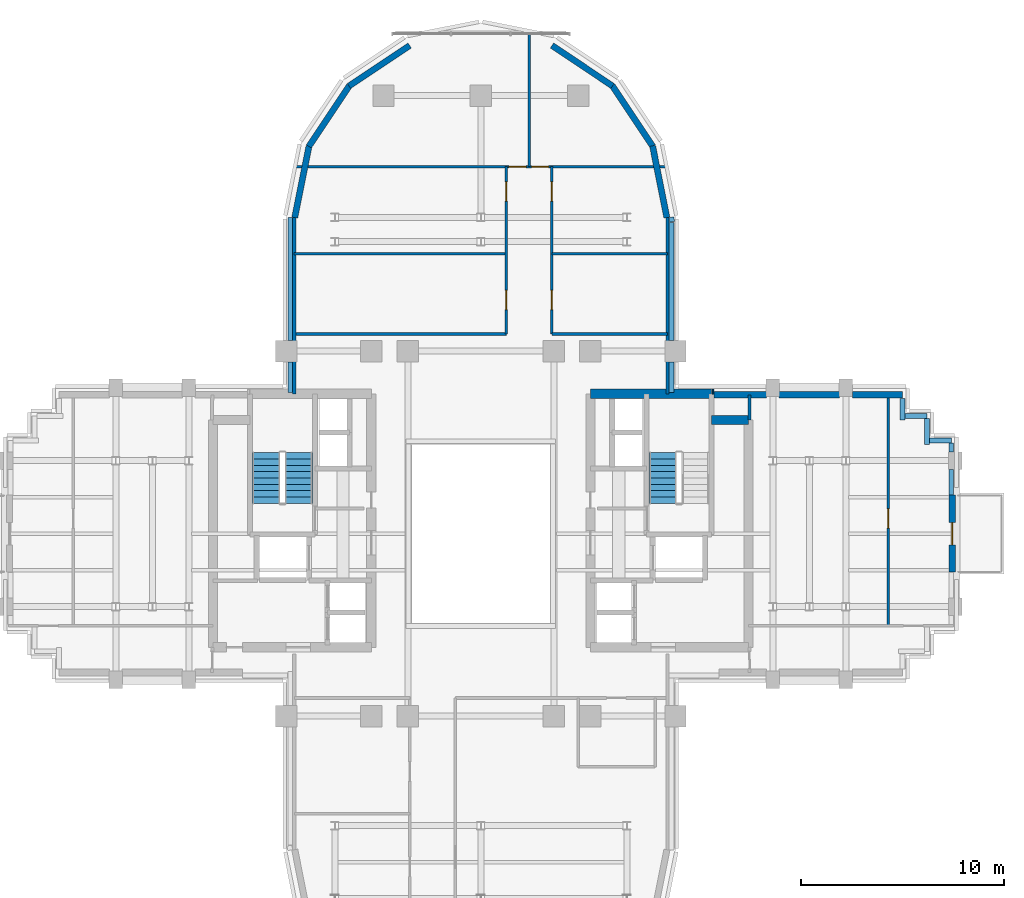
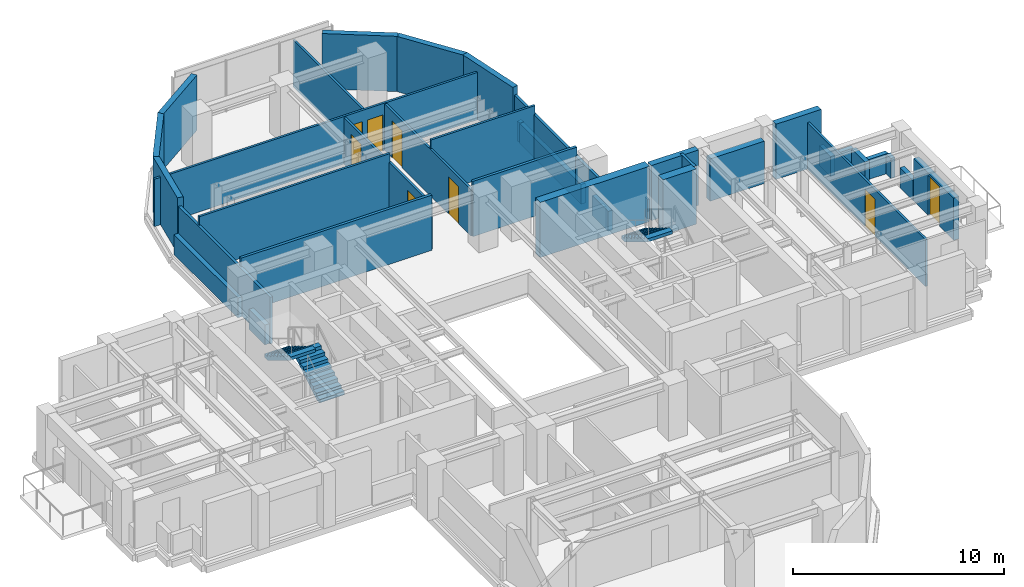
# One storey, part 9 of 13: 36 walls, 8 doors, 3 stair flights, 8 openings, 2 elements without a shape of their own.
"""IFC4 building model written with IfcOpenShell, lengths in metres."""

from ifc_helpers import new_model, si_unit, direction, frame, frame_2d, origin, place, context, subcontext, project, spatial, polyline, rectangle, outline, extrude, source, transform, mapped, material, layer, layer_set, type_object, element, fill, aggregate, save


model = new_model("IFC4")

# Units and contexts
model_context = context("Model", 3, precision=1e-05, world=origin(), true_north=direction((0.0, 1.0)))
body_context = subcontext(model_context, "Body", "Model", "MODEL_VIEW")
ifc_project = project(units=[si_unit("LENGTHUNIT", "METRE"), si_unit("AREAUNIT", "SQUARE_METRE"), si_unit("VOLUMEUNIT", "CUBIC_METRE"), si_unit("PLANEANGLEUNIT", "RADIAN"), si_unit("MASSUNIT", "GRAM", prefix="KILO")], contexts=[model_context])

# Site, building, storey
site_placement = place(None, origin())
site = spatial("IfcSite", under=ifc_project, at=site_placement, CompositionType="ELEMENT")
building_placement = place(site_placement, origin())
building = spatial("IfcBuilding", under=site, at=building_placement, Name="Keilestroom Media Tower", CompositionType="ELEMENT")
storey_placement = place(building_placement, frame((0.0, 0.0, 107.39990234375)))
storey = spatial("IfcBuildingStorey", under=building, at=storey_placement, Name="L28", CompositionType="ELEMENT", Elevation=107.39990234375)

# Walls
ifc_material_1 = material(Name="Precast concrete C40/50", Category="concrete")
ifc_layer_1 = layer(ifc_material_1, 0.300048828125)
ifc_layer_set_1 = layer_set([ifc_layer_1], Name="Precast concrete C40/50")
wall_type_1 = type_object("IfcWallType", Name="Exterior-Masonry-Spandrel-Wall-300", PredefinedType="SOLIDWALL", material=ifc_layer_set_1)
for number, where, z_axis, x_axis, name in (
    (1, (9.1748046875, 15.585205078125, 0.0), (0.0, 0.0, 1.0), (-0.195114232679, 0.980780523974, 0.0), "L28 Lobe Facet Precast Frame Wall 01"),
    (2, (8.48193359375, 19.097412109375, 0.0), (0.0, 0.0, 1.0), (-0.555574187116, 0.831466970246, 0.0), "L28 Lobe Facet Precast Frame Wall 02"),
):
    element("IfcWall", number, at=place(storey_placement, frame(where, z_axis=z_axis, x_axis=x_axis)), inside=storey, type_object=wall_type_1, Name=name, PredefinedType="SOLIDWALL", context=body_context, shape_type="SweptSolid", body=[
        extrude(rectangle(XDim=3.608642578125, YDim=0.300048828125, at=frame_2d((1.80419921875, 0.0))), origin(), (0.0, 0.0, 1.0), 3.2001953125),
    ])
for number, where, z_axis, x_axis, name in (
    (3, (6.497802734375, 22.0771484375, 0.0), (0.0, 0.0, 1.0), (-0.8314749531, 0.555562239868, 0.0), "L28 Lobe Facet Precast Frame Wall 03"),
    (4, (-3.510009765625, 24.073486328125, 0.0), (0.0, 0.0, 1.0), (-0.8314749531, -0.555562239868, 0.0), "L28 Lobe Facet Precast Frame Wall 04"),
):
    element("IfcWall", number, at=place(storey_placement, frame(where, z_axis=z_axis, x_axis=x_axis)), inside=storey, type_object=wall_type_1, Name=name, PredefinedType="SOLIDWALL", context=body_context, shape_type="SweptSolid", body=[
        extrude(rectangle(XDim=3.59326171875, YDim=0.300048828125, at=frame_2d((1.796630859375, 0.0))), origin(), (0.0, 0.0, 1.0), 3.2001953125),
    ])
for number, where, z_axis, x_axis, name in (
    (5, (-6.47705078125, 22.097900390625, 0.0), (0.0, 0.0, 1.0), (-0.555574187116, -0.831466970246, 0.0), "L28 Lobe Facet Precast Frame Wall 05"),
    (6, (-8.470703125, 19.12451171875, 0.0), (0.0, 0.0, 1.0), (-0.195114232679, -0.980780523974, 0.0), "L28 Lobe Facet Precast Frame Wall 06"),
):
    element("IfcWall", number, at=place(storey_placement, frame(where, z_axis=z_axis, x_axis=x_axis)), inside=storey, type_object=wall_type_1, Name=name, PredefinedType="SOLIDWALL", context=body_context, shape_type="SweptSolid", body=[
        extrude(rectangle(XDim=3.608642578125, YDim=0.300048828125, at=frame_2d((1.80419921875, 0.0))), origin(), (0.0, 0.0, 1.0), 3.2001953125),
    ])

# Wall, opening, door
wall_1_placement = place(storey_placement, frame((23.25, -1.89990234375, 0.0), z_axis=(0.0, 0.0, 1.0), x_axis=(0.0, 1.0, 0.0)))
wall_1 = element("IfcWall", 7, at=wall_1_placement, inside=storey, type_object=wall_type_1, Name="L28 Terrace Threshold Wall L28-E", PredefinedType="SOLIDWALL", context=body_context, shape_type="SweptSolid", body=[
    extrude(rectangle(XDim=3.7998046875, YDim=0.300048828125, at=frame_2d((1.89990234375, 0.0))), origin(), (0.0, 0.0, 1.0), 2.4501953125),
])
opening_1_placement = place(wall_1_placement, frame((1.35009765625, 0.0, 0.0)))
opening_1 = element("IfcOpeningElement", 8, at=opening_1_placement, cuts=wall_1, Name="Opening DE-02", PredefinedType="OPENING", context=body_context, shape_type="SweptSolid", body=[
    extrude(rectangle(XDim=1.10009765625, YDim=2.300048828125, at=frame_2d((0.550048828125, 1.14990234375))), frame((0.0, 0.16015625, 0.0), z_axis=(0.0, -1.0, 0.0), x_axis=(1.0, 0.0, 0.0)), (0.0, 0.0, 1.0), 0.320068359375),
])
ifc_material_2 = material(Name="Thermally Broken Aluminium & Laminated Glass", Category="aluminium")
door_type_1 = type_object("IfcDoorType", Name="Exterior-Entrance-And-Terrace-Door-DE-02", OperationType="NOTDEFINED", PredefinedType="DOOR", material=ifc_material_2)
shared_shape_1 = source(origin(), body_context, "Body", "SweptSolid", [
    extrude(rectangle(XDim=1.10009765625, YDim=2.300048828125, at=frame_2d((0.550048828125, 1.14990234375))), frame((0.0, 0.02490234375, 0.0), z_axis=(0.0, -1.0, 0.0), x_axis=(1.0, 0.0, 0.0)), (0.0, 0.0, 1.0), 0.050048828125),
])
door_1_placement = place(opening_1_placement, frame((1.10009765625, 0.0, 0.0), z_axis=(0.0, 0.0, 1.0), x_axis=(-1.0, 0.0, 0.0)))
door_1 = element("IfcDoor", 9, at=door_1_placement, inside=storey, type_object=door_type_1, Name="L28 Terrace Access Door DE-02 L28-E", OperationType="SINGLE_SWING_RIGHT", OverallHeight=2.300048828125, OverallWidth=1.10009765625, PredefinedType="DOOR", context=body_context, shape_type="MappedRepresentation", body=[
    mapped(shared_shape_1, transform((0.0, 0.0, 0.0), x_axis=(1.0, 0.0, 0.0), y_axis=(0.0, 1.0, 0.0), z_axis=(0.0, 0.0, 1.0), scale=1.0)),
])
fill(opening_1, door_1)

# Walls
ifc_layer_2 = layer(ifc_material_1, 0.340087890625)
ifc_layer_set_2 = layer_set([ifc_layer_2], Name="Precast concrete C40/50")
wall_type_2 = type_object("IfcWallType", Name="Exterior-Masonry-Spandrel-Wall-340", PredefinedType="SOLIDWALL", material=ifc_layer_set_2)
wall_2_placement = place(storey_placement, frame((11.498046875, 6.85009765625, 0.0), z_axis=(0.0, 0.0, 1.0), x_axis=(1.0, 0.0, 0.0)))
element("IfcWall", 10, at=wall_2_placement, inside=storey, type_object=wall_type_2, Name="L28 Flank Masonry Wall EWL-L28-NE-1", PredefinedType="SOLIDWALL", context=body_context, shape_type="SweptSolid", body=[
    extrude(rectangle(XDim=2.5849609375, YDim=0.340087890625, at=frame_2d((1.29248046875, 0.0))), origin(), (0.0, 0.0, 1.0), 3.2001953125),
])
wall_3_placement = place(storey_placement, frame((14.717041015625, 6.85009765625, 0.0), z_axis=(0.0, 0.0, 1.0), x_axis=(1.0, 0.0, 0.0)))
element("IfcWall", 11, at=wall_3_placement, inside=storey, type_object=wall_type_2, Name="L28 Flank Masonry Wall EWL-L28-NE-2", PredefinedType="SOLIDWALL", context=body_context, shape_type="SweptSolid", body=[
    extrude(rectangle(XDim=2.966064453125, YDim=0.340087890625, at=frame_2d((1.48291015625, 0.0))), origin(), (0.0, 0.0, 1.0), 2.4501953125),
])
wall_4_placement = place(storey_placement, frame((18.31689453125, 6.85009765625, 0.0), z_axis=(0.0, 0.0, 1.0), x_axis=(1.0, 0.0, 0.0)))
element("IfcWall", 12, at=wall_4_placement, inside=storey, type_object=wall_type_2, Name="L28 Flank Masonry Wall EWL-L28-NE-3", PredefinedType="SOLIDWALL", context=body_context, shape_type="SweptSolid", body=[
    extrude(rectangle(XDim=2.483154296875, YDim=0.340087890625, at=frame_2d((1.24169921875, 0.0))), origin(), (0.0, 0.0, 1.0), 3.2001953125),
])

# Wall, openings, doors
ifc_material_3 = material(Name="Gypsum Plasterboard & Steel Stud", Category="steel")
ifc_layer_3 = layer(ifc_material_3, 0.1201171875)
ifc_layer_set_3 = layer_set([ifc_layer_3], Name="Gypsum Plasterboard & Steel Stud")
wall_type_3 = type_object("IfcWallType", Name="Interior-Partition-Wall-120", PredefinedType="PARTITIONING", material=ifc_layer_set_3)
wall_5_placement = place(storey_placement, frame((1.260009765625, 9.85009765625, 0.0), z_axis=(0.0, 0.0, 1.0), x_axis=(0.0, 1.0, 0.0)))
wall_5 = element("IfcWall", 13, at=wall_5_placement, inside=storey, type_object=wall_type_3, Name="L28 Interior Wall WP-L28-NL-SPW", PredefinedType="PARTITIONING", context=body_context, shape_type="SweptSolid", body=[
    extrude(rectangle(XDim=8.25, YDim=0.1201171875, at=frame_2d((4.125, 0.0))), origin(), (0.0, 0.0, 1.0), 2.7001953125),
])
opening_2_placement = place(wall_5_placement, frame((1.199951171875, 0.0, 0.0)))
opening_2 = element("IfcOpeningElement", 14, at=opening_2_placement, cuts=wall_5, Name="Opening DI-03", PredefinedType="OPENING", context=body_context, shape_type="SweptSolid", body=[
    extrude(rectangle(XDim=0.949951171875, YDim=2.14990234375, at=frame_2d((0.47509765625, 1.074951171875))), frame((0.0, 0.070068359375, 0.0), z_axis=(0.0, -1.0, 0.0), x_axis=(1.0, 0.0, 0.0)), (0.0, 0.0, 1.0), 0.14013671875),
])
opening_3_placement = place(wall_5_placement, frame((6.550048828125, 0.0, 0.0)))
opening_3 = element("IfcOpeningElement", 15, at=opening_3_placement, cuts=wall_5, Name="Opening DI-03", PredefinedType="OPENING", context=body_context, shape_type="SweptSolid", body=[
    extrude(rectangle(XDim=0.949951171875, YDim=2.14990234375, at=frame_2d((0.47509765625, 1.074951171875))), frame((0.0, 0.070068359375, 0.0), z_axis=(0.0, -1.0, 0.0), x_axis=(1.0, 0.0, 0.0)), (0.0, 0.0, 1.0), 0.14013671875),
])
ifc_material_4 = material(Name="Lacquered European Oak Leaf", Category="wood")
door_type_2 = type_object("IfcDoorType", Name="Interior-Room-And-Suite-Door-DI-03", OperationType="NOTDEFINED", PredefinedType="DOOR", material=ifc_material_4)
shared_shape_2 = source(origin(), body_context, "Body", "SweptSolid", [
    extrude(rectangle(XDim=0.949951171875, YDim=2.14990234375, at=frame_2d((0.47509765625, 1.074951171875))), frame((0.0, 0.02490234375, 0.0), z_axis=(0.0, -1.0, 0.0), x_axis=(1.0, 0.0, 0.0)), (0.0, 0.0, 1.0), 0.050048828125),
])
door_2_placement = place(opening_2_placement, origin())
door_2 = element("IfcDoor", 16, at=door_2_placement, inside=storey, type_object=door_type_2, Name="L28 Interior Door DI-L28-DNL-W1", OperationType="SINGLE_SWING_RIGHT", OverallHeight=2.14990234375, OverallWidth=0.949951171875, PredefinedType="DOOR", context=body_context, shape_type="MappedRepresentation", body=[
    mapped(shared_shape_2, transform((0.0, 0.0, 0.0), x_axis=(1.0, 0.0, 0.0), y_axis=(0.0, 1.0, 0.0), z_axis=(0.0, 0.0, 1.0), scale=1.0)),
])
fill(opening_2, door_2)
door_3_placement = place(opening_3_placement, origin())
door_3 = element("IfcDoor", 17, at=door_3_placement, inside=storey, type_object=door_type_2, Name="L28 Interior Door DI-L28-DNL-W2", OperationType="SINGLE_SWING_LEFT", OverallHeight=2.14990234375, OverallWidth=0.949951171875, PredefinedType="DOOR", context=body_context, shape_type="MappedRepresentation", body=[
    mapped(shared_shape_2, transform((0.0, 0.0, 0.0), x_axis=(1.0, 0.0, 0.0), y_axis=(0.0, 1.0, 0.0), z_axis=(0.0, 0.0, 1.0), scale=1.0)),
])
fill(opening_3, door_3)

wall_6_placement = place(storey_placement, frame((3.5, 9.85009765625, 0.0), z_axis=(0.0, 0.0, 1.0), x_axis=(0.0, 1.0, 0.0)))
wall_6 = element("IfcWall", 18, at=wall_6_placement, inside=storey, type_object=wall_type_3, Name="L28 Interior Wall WP-L28-NL-SPE", PredefinedType="PARTITIONING", context=body_context, shape_type="SweptSolid", body=[
    extrude(rectangle(XDim=8.25, YDim=0.1201171875, at=frame_2d((4.125, 0.0))), origin(), (0.0, 0.0, 1.0), 2.7001953125),
])
opening_4_placement = place(wall_6_placement, frame((1.199951171875, 0.0, 0.0)))
opening_4 = element("IfcOpeningElement", 19, at=opening_4_placement, cuts=wall_6, Name="Opening DI-03", PredefinedType="OPENING", context=body_context, shape_type="SweptSolid", body=[
    extrude(rectangle(XDim=0.949951171875, YDim=2.14990234375, at=frame_2d((0.47509765625, 1.074951171875))), frame((0.0, 0.070068359375, 0.0), z_axis=(0.0, -1.0, 0.0), x_axis=(1.0, 0.0, 0.0)), (0.0, 0.0, 1.0), 0.14013671875),
])
opening_5_placement = place(wall_6_placement, frame((6.550048828125, 0.0, 0.0)))
opening_5 = element("IfcOpeningElement", 20, at=opening_5_placement, cuts=wall_6, Name="Opening DI-03", PredefinedType="OPENING", context=body_context, shape_type="SweptSolid", body=[
    extrude(rectangle(XDim=0.949951171875, YDim=2.14990234375, at=frame_2d((0.47509765625, 1.074951171875))), frame((0.0, 0.070068359375, 0.0), z_axis=(0.0, -1.0, 0.0), x_axis=(1.0, 0.0, 0.0)), (0.0, 0.0, 1.0), 0.14013671875),
])
door_4_placement = place(opening_4_placement, origin())
door_4 = element("IfcDoor", 21, at=door_4_placement, inside=storey, type_object=door_type_2, Name="L28 Interior Door DI-L28-DNL-E1", OperationType="SINGLE_SWING_RIGHT", OverallHeight=2.14990234375, OverallWidth=0.949951171875, PredefinedType="DOOR", context=body_context, shape_type="MappedRepresentation", body=[
    mapped(shared_shape_2, transform((0.0, 0.0, 0.0), x_axis=(1.0, 0.0, 0.0), y_axis=(0.0, 1.0, 0.0), z_axis=(0.0, 0.0, 1.0), scale=1.0)),
])
fill(opening_4, door_4)
door_5_placement = place(opening_5_placement, origin())
door_5 = element("IfcDoor", 22, at=door_5_placement, inside=storey, type_object=door_type_2, Name="L28 Interior Door DI-L28-DNL-E2", OperationType="SINGLE_SWING_LEFT", OverallHeight=2.14990234375, OverallWidth=0.949951171875, PredefinedType="DOOR", context=body_context, shape_type="MappedRepresentation", body=[
    mapped(shared_shape_2, transform((0.0, 0.0, 0.0), x_axis=(1.0, 0.0, 0.0), y_axis=(0.0, 1.0, 0.0), z_axis=(0.0, 0.0, 1.0), scale=1.0)),
])
fill(opening_5, door_5)

wall_7_placement = place(storey_placement, frame((-9.159912109375, 18.10009765625, 0.0), z_axis=(0.0, 0.0, 1.0), x_axis=(1.0, 0.0, 0.0)))
wall_7 = element("IfcWall", 23, at=wall_7_placement, inside=storey, type_object=wall_type_3, Name="L28 Interior Wall WP-L28-NL-NTIPW", PredefinedType="PARTITIONING", context=body_context, shape_type="SweptSolid", body=[
    extrude(rectangle(XDim=18.31982421875, YDim=0.1201171875, at=frame_2d((9.159912109375, 0.0))), origin(), (0.0, 0.0, 1.0), 2.75),
])
opening_6_placement = place(wall_7_placement, frame((10.5400390625, 0.0, 0.0)))
opening_6 = element("IfcOpeningElement", 24, at=opening_6_placement, cuts=wall_7, Name="Opening DI-05", PredefinedType="OPENING", context=body_context, shape_type="SweptSolid", body=[
    extrude(rectangle(XDim=0.85009765625, YDim=2.10009765625, at=frame_2d((0.425048828125, 1.050048828125))), frame((0.0, 0.070068359375, 0.0), z_axis=(0.0, -1.0, 0.0), x_axis=(1.0, 0.0, 0.0)), (0.0, 0.0, 1.0), 0.14013671875),
])
opening_7_placement = place(wall_7_placement, frame((11.659912109375, 0.0, 0.0)))
opening_7 = element("IfcOpeningElement", 25, at=opening_7_placement, cuts=wall_7, Name="Opening DI-05", PredefinedType="OPENING", context=body_context, shape_type="SweptSolid", body=[
    extrude(rectangle(XDim=0.85009765625, YDim=2.10009765625, at=frame_2d((0.425048828125, 1.050048828125))), frame((0.0, 0.070068359375, 0.0), z_axis=(0.0, -1.0, 0.0), x_axis=(1.0, 0.0, 0.0)), (0.0, 0.0, 1.0), 0.14013671875),
])
ifc_material_5 = material(Name="Moisture-Resistant Oak Leaf", Category="wood")
door_type_3 = type_object("IfcDoorType", Name="Interior-En-Suite-And-Cupboard-Door-DI-05", OperationType="NOTDEFINED", PredefinedType="DOOR", material=ifc_material_5)
shared_shape_3 = source(origin(), body_context, "Body", "SweptSolid", [
    extrude(rectangle(XDim=0.85009765625, YDim=2.10009765625, at=frame_2d((0.425048828125, 1.050048828125))), frame((0.0, 0.02490234375, 0.0), z_axis=(0.0, -1.0, 0.0), x_axis=(1.0, 0.0, 0.0)), (0.0, 0.0, 1.0), 0.050048828125),
])
door_6_placement = place(opening_6_placement, origin())
door_6 = element("IfcDoor", 26, at=door_6_placement, inside=storey, type_object=door_type_3, Name="L28 Interior Door DI-L28-DNL-TIPW", OperationType="SINGLE_SWING_RIGHT", OverallHeight=2.10009765625, OverallWidth=0.85009765625, PredefinedType="DOOR", context=body_context, shape_type="MappedRepresentation", body=[
    mapped(shared_shape_3, transform((0.0, 0.0, 0.0), x_axis=(1.0, 0.0, 0.0), y_axis=(0.0, 1.0, 0.0), z_axis=(0.0, 0.0, 1.0), scale=1.0)),
])
fill(opening_6, door_6)
door_7_placement = place(opening_7_placement, origin())
door_7 = element("IfcDoor", 27, at=door_7_placement, inside=storey, type_object=door_type_3, Name="L28 Interior Door DI-L28-DNL-TIPE", OperationType="SINGLE_SWING_LEFT", OverallHeight=2.10009765625, OverallWidth=0.85009765625, PredefinedType="DOOR", context=body_context, shape_type="MappedRepresentation", body=[
    mapped(shared_shape_3, transform((0.0, 0.0, 0.0), x_axis=(1.0, 0.0, 0.0), y_axis=(0.0, 1.0, 0.0), z_axis=(0.0, 0.0, 1.0), scale=1.0)),
])
fill(opening_7, door_7)

# Walls
wall_8_placement = place(storey_placement, frame((2.3798828125, 18.10009765625, 0.0), z_axis=(0.0, 0.0, 1.0), x_axis=(0.0, 1.0, 0.0)))
element("IfcWall", 28, at=wall_8_placement, inside=storey, type_object=wall_type_3, Name="L28 Interior Wall WP-L28-NL-TIPM", PredefinedType="PARTITIONING", context=body_context, shape_type="SweptSolid", body=[
    extrude(rectangle(XDim=6.719970703125, YDim=0.1201171875, at=frame_2d((3.35986328125, 0.0))), origin(), (0.0, 0.0, 1.0), 2.7001953125),
])
wall_9_placement = place(storey_placement, frame((-9.199951171875, 13.800048828125, 0.0), z_axis=(0.0, 0.0, 1.0), x_axis=(1.0, 0.0, 0.0)))
element("IfcWall", 29, at=wall_9_placement, inside=storey, type_object=wall_type_3, Name="L28 Interior Wall WP-L28-NL-HWM", PredefinedType="PARTITIONING", context=body_context, shape_type="SweptSolid", body=[
    extrude(rectangle(XDim=10.4599609375, YDim=0.1201171875, at=frame_2d((5.22998046875, 0.0))), origin(), (0.0, 0.0, 1.0), 3.2001953125),
])
wall_10_placement = place(storey_placement, frame((3.5, 13.800048828125, 0.0), z_axis=(0.0, 0.0, 1.0), x_axis=(1.0, 0.0, 0.0)))
element("IfcWall", 30, at=wall_10_placement, inside=storey, type_object=wall_type_3, Name="L28 Interior Wall WP-L28-NL-HEM", PredefinedType="PARTITIONING", context=body_context, shape_type="SweptSolid", body=[
    extrude(rectangle(XDim=5.699951171875, YDim=0.1201171875, at=frame_2d((2.85009765625, 0.0))), origin(), (0.0, 0.0, 1.0), 3.2001953125),
])

# Wall, opening, door
wall_11_placement = place(storey_placement, frame((20.10009765625, -4.530029296875, 0.0), z_axis=(0.0, 0.0, 1.0), x_axis=(0.0, 1.0, 0.0)))
wall_11 = element("IfcWall", 31, at=wall_11_placement, inside=storey, type_object=wall_type_3, Name="L28 Interior Wall WP-L28-EA-VM", PredefinedType="PARTITIONING", context=body_context, shape_type="SweptSolid", body=[
    extrude(rectangle(XDim=11.380126953125, YDim=0.1201171875, at=frame_2d((5.68994140625, 0.0))), origin(), (0.0, 0.0, 1.0), 2.7001953125),
])
opening_8_placement = place(wall_11_placement, frame((4.800048828125, 0.0, 0.0)))
opening_8 = element("IfcOpeningElement", 32, at=opening_8_placement, cuts=wall_11, Name="Opening DI-03", PredefinedType="OPENING", context=body_context, shape_type="SweptSolid", body=[
    extrude(rectangle(XDim=0.949951171875, YDim=2.14990234375, at=frame_2d((0.47509765625, 1.074951171875))), frame((0.0, 0.070068359375, 0.0), z_axis=(0.0, -1.0, 0.0), x_axis=(1.0, 0.0, 0.0)), (0.0, 0.0, 1.0), 0.14013671875),
])
door_8_placement = place(opening_8_placement, origin())
door_8 = element("IfcDoor", 33, at=door_8_placement, inside=storey, type_object=door_type_2, Name="L28 Interior Door DI-L28-DEA-RN1", OperationType="SINGLE_SWING_RIGHT", OverallHeight=2.14990234375, OverallWidth=0.949951171875, PredefinedType="DOOR", context=body_context, shape_type="MappedRepresentation", body=[
    mapped(shared_shape_2, transform((0.0, 0.0, 0.0), x_axis=(1.0, 0.0, 0.0), y_axis=(0.0, 1.0, 0.0), z_axis=(0.0, 0.0, 1.0), scale=1.0)),
])
fill(opening_8, door_8)

# Walls
ifc_layer_4 = layer(ifc_material_3, 0.14990234375)
ifc_layer_set_4 = layer_set([ifc_layer_4], Name="Gypsum Plasterboard & Steel Stud")
wall_type_4 = type_object("IfcWallType", Name="Interior-Partition-Wall-150", PredefinedType="PARTITIONING", material=ifc_layer_set_4)
for number, where, z_axis, x_axis, name in (
    (34, (-9.199951171875, 6.89990234375, 0.0), (0.0, 0.0, 1.0), (0.0, 1.0, 0.0), "L28 Interior Wall WP-L28-NL-CHKW"),
    (35, (9.199951171875, 6.89990234375, 0.0), (0.0, 0.0, 1.0), (0.0, 1.0, 0.0), "L28 Interior Wall WP-L28-NL-CHKE"),
):
    element("IfcWall", number, at=place(storey_placement, frame(where, z_axis=z_axis, x_axis=x_axis)), inside=storey, type_object=wall_type_4, Name=name, PredefinedType="PARTITIONING", context=body_context, shape_type="SweptSolid", body=[
        extrude(rectangle(XDim=8.780029296875, YDim=0.14990234375, at=frame_2d((4.39013671875, 0.0))), origin(), (0.0, 0.0, 1.0), 2.7001953125),
    ])
wall_12_placement = place(storey_placement, frame((-9.199951171875, 9.85009765625, 0.0), z_axis=(0.0, 0.0, 1.0), x_axis=(1.0, 0.0, 0.0)))
element("IfcWall", 36, at=wall_12_placement, inside=storey, type_object=wall_type_4, Name="L28 Interior Wall WP-L28-NL-BASE-W", PredefinedType="PARTITIONING", context=body_context, shape_type="SweptSolid", body=[
    extrude(rectangle(XDim=10.4599609375, YDim=0.14990234375, at=frame_2d((5.22998046875, 0.0))), origin(), (0.0, 0.0, 1.0), 3.2001953125),
])
wall_13_placement = place(storey_placement, frame((3.5, 9.85009765625, 0.0), z_axis=(0.0, 0.0, 1.0), x_axis=(1.0, 0.0, 0.0)))
element("IfcWall", 37, at=wall_13_placement, inside=storey, type_object=wall_type_4, Name="L28 Interior Wall WP-L28-NL-BASE-E", PredefinedType="PARTITIONING", context=body_context, shape_type="SweptSolid", body=[
    extrude(rectangle(XDim=5.699951171875, YDim=0.14990234375, at=frame_2d((2.85009765625, 0.0))), origin(), (0.0, 0.0, 1.0), 3.2001953125),
])
wall_14_placement = place(storey_placement, frame((13.260009765625, 5.60009765625, 0.0), z_axis=(0.0, 0.0, 1.0), x_axis=(-0.016013571389, 0.999871774545, 0.0)))
element("IfcWall", 38, at=wall_14_placement, inside=storey, type_object=wall_type_4, Name="L28 Interior Wall WP-L28-EA-ENTN", PredefinedType="PARTITIONING", context=body_context, shape_type="SweptSolid", body=[
    extrude(rectangle(XDim=1.250244140625, YDim=0.14990234375, at=frame_2d((0.625, 0.0))), origin(), (0.0, 0.0, 1.0), 3.2001953125),
])
ifc_material_6 = material(Name="Concrete C55/67", Category="concrete")
ifc_layer_5 = layer(ifc_material_6, 0.449951171875)
ifc_layer_set_5 = layer_set([ifc_layer_5], Name="Concrete C55/67")
wall_type_5 = type_object("IfcWallType", Name="Reinforced-Concrete-Core-Shear-Wall-450", PredefinedType="SHEAR", material=ifc_layer_set_5)
wall_15_placement = place(storey_placement, frame((5.39990234375, 6.89990234375, 0.0), z_axis=(0.0, 0.0, 1.0), x_axis=(1.0, 0.0, 0.0)))
element("IfcWall", 39, at=wall_15_placement, inside=storey, type_object=wall_type_5, Name="L28 Core Shear Wall WL-L28-CORE-E-N", PredefinedType="SHEAR", context=body_context, shape_type="SweptSolid", body=[
    extrude(rectangle(XDim=5.981201171875, YDim=0.449951171875, at=frame_2d((2.99072265625, 0.0))), origin(), (0.0, 0.0, 1.0), 3.2001953125),
])
wall_16_placement = place(storey_placement, frame((11.381103515625, 5.60009765625, 0.0), z_axis=(0.0, 0.0, 1.0), x_axis=(1.0, 0.0, 0.0)))
element("IfcWall", 40, at=wall_16_placement, inside=storey, type_object=wall_type_5, Name="L28 Core Shear Wall WL-L28-CNE-N", PredefinedType="SHEAR", context=body_context, shape_type="SweptSolid", body=[
    extrude(rectangle(XDim=1.81884765625, YDim=0.449951171875, at=frame_2d((0.909423828125, 0.0))), origin(), (0.0, 0.0, 1.0), 3.2001953125),
])
ifc_layer_6 = layer(ifc_material_1, 0.239990234375)
ifc_layer_set_6 = layer_set([ifc_layer_6], Name="Precast concrete C40/50")
wall_type_6 = type_object("IfcWallType", Name="Roof-And-Terrace-Parapet-Wall-240", PredefinedType="PARAPET", material=ifc_layer_set_6)
wall_17_placement = place(storey_placement, frame((-9.39990234375, 6.952880859375, 0.0), z_axis=(0.0, 0.0, 1.0), x_axis=(0.0, 1.0, 0.0)))
element("IfcWall", 41, at=wall_17_placement, inside=storey, type_object=wall_type_6, Name="L28 Perimeter Edge Parapet Wall 23", PredefinedType="PARAPET", context=body_context, shape_type="SweptSolid", body=[
    extrude(rectangle(XDim=1.51904296875, YDim=0.239990234375, at=frame_2d((0.759521484375, 0.0))), origin(), (0.0, 0.0, 1.0), 1.150146484375),
])
wall_18_placement = place(storey_placement, frame((-9.39990234375, 9.528076171875, 0.0), z_axis=(0.0, 0.0, 1.0), x_axis=(0.0, 1.0, 0.0)))
element("IfcWall", 42, at=wall_18_placement, inside=storey, type_object=wall_type_6, Name="L28 Perimeter Edge Parapet Wall 24", PredefinedType="PARAPET", context=body_context, shape_type="SweptSolid", body=[
    extrude(rectangle(XDim=6.07470703125, YDim=0.239990234375, at=frame_2d((3.037353515625, 0.0))), origin(), (0.0, 0.0, 1.0), 1.150146484375),
])
wall_19_placement = place(storey_placement, frame((9.395263671875, 15.604248046875, 0.0), z_axis=(0.0, 0.0, 1.0), x_axis=(0.194652052864, -0.980872355771, 0.0)))
element("IfcWall", 43, at=wall_19_placement, inside=storey, type_object=wall_type_6, Name="L28 Perimeter Edge Parapet Wall 25", PredefinedType="PARAPET", context=body_context, shape_type="SweptSolid", body=[
    extrude(rectangle(XDim=0.224609375, YDim=0.239990234375, at=frame_2d((0.1123046875, 0.0))), origin(), (0.0, 0.0, 1.0), 1.150146484375),
])
wall_20_placement = place(storey_placement, frame((9.39990234375, 15.357666015625, 0.0), z_axis=(0.0, 0.0, 1.0), x_axis=(0.0, -1.0, 0.0)))
element("IfcWall", 44, at=wall_20_placement, inside=storey, type_object=wall_type_6, Name="L28 Perimeter Edge Parapet Wall 26", PredefinedType="PARAPET", context=body_context, shape_type="SweptSolid", body=[
    extrude(rectangle(XDim=5.82958984375, YDim=0.239990234375, at=frame_2d((2.914794921875, 0.0))), origin(), (0.0, 0.0, 1.0), 1.150146484375),
])
wall_21_placement = place(storey_placement, frame((9.39990234375, 8.471923828125, 0.0), z_axis=(0.0, 0.0, 1.0), x_axis=(0.0, -1.0, 0.0)))
element("IfcWall", 45, at=wall_21_placement, inside=storey, type_object=wall_type_6, Name="L28 Perimeter Edge Parapet Wall 27", PredefinedType="PARAPET", context=body_context, shape_type="SweptSolid", body=[
    extrude(rectangle(XDim=1.51904296875, YDim=0.239990234375, at=frame_2d((0.759521484375, 0.0))), origin(), (0.0, 0.0, 1.0), 1.150146484375),
])
wall_22_placement = place(storey_placement, frame((11.403076171875, 7.0, 0.0), z_axis=(0.0, 0.0, 1.0), x_axis=(1.0, 0.0, 0.0)))
element("IfcWall", 46, at=wall_22_placement, inside=storey, type_object=wall_type_6, Name="L28 Perimeter Edge Parapet Wall 28", PredefinedType="PARAPET", context=body_context, shape_type="SweptSolid", body=[
    extrude(rectangle(XDim=0.092041015625, YDim=0.239990234375, at=frame_2d((0.0458984375, 0.0))), origin(), (0.0, 0.0, 1.0), 1.150146484375),
])
for number, where, z_axis, x_axis, name in (
    (47, (20.800048828125, 6.677001953125, 0.0), (0.0, 0.0, 1.0), (0.0, -1.0, 0.0), "L28 Perimeter Edge Parapet Wall 29"),
    (48, (20.923095703125, 5.800048828125, 0.0), (0.0, 0.0, 1.0), (1.0, 0.0, 0.0), "L28 Perimeter Edge Parapet Wall 30"),
):
    element("IfcWall", number, at=place(storey_placement, frame(where, z_axis=z_axis, x_axis=x_axis)), inside=storey, type_object=wall_type_6, Name=name, PredefinedType="PARAPET", context=body_context, shape_type="SweptSolid", body=[
        extrude(rectangle(XDim=1.076904296875, YDim=0.239990234375, at=frame_2d((0.53857421875, 0.0))), origin(), (0.0, 0.0, 1.0), 1.150146484375),
    ])
wall_23_placement = place(storey_placement, frame((22.0, 5.677001953125, 0.0), z_axis=(0.0, 0.0, 1.0), x_axis=(0.0, -1.0, 0.0)))
element("IfcWall", 49, at=wall_23_placement, inside=storey, type_object=wall_type_6, Name="L28 Perimeter Edge Parapet Wall 31", PredefinedType="PARAPET", context=body_context, shape_type="SweptSolid", body=[
    extrude(rectangle(XDim=1.277099609375, YDim=0.239990234375, at=frame_2d((0.638671875, 0.0))), origin(), (0.0, 0.0, 1.0), 1.150146484375),
])
wall_24_placement = place(storey_placement, frame((22.123046875, 4.60009765625, 0.0), z_axis=(0.0, 0.0, 1.0), x_axis=(1.0, 0.0, 0.0)))
element("IfcWall", 50, at=wall_24_placement, inside=storey, type_object=wall_type_6, Name="L28 Perimeter Edge Parapet Wall 32", PredefinedType="PARAPET", context=body_context, shape_type="SweptSolid", body=[
    extrude(rectangle(XDim=1.076904296875, YDim=0.239990234375, at=frame_2d((0.53857421875, 0.0))), origin(), (0.0, 0.0, 1.0), 1.150146484375),
])
wall_25_placement = place(storey_placement, frame((23.199951171875, 4.47705078125, 0.0), z_axis=(0.0, 0.0, 1.0), x_axis=(0.0, -1.0, 0.0)))
element("IfcWall", 51, at=wall_25_placement, inside=storey, type_object=wall_type_6, Name="L28 Perimeter Edge Parapet Wall 33", PredefinedType="PARAPET", context=body_context, shape_type="SweptSolid", body=[
    extrude(rectangle(XDim=0.448974609375, YDim=0.239990234375, at=frame_2d((0.224609375, 0.0))), origin(), (0.0, 0.0, 1.0), 1.150146484375),
])
wall_26_placement = place(storey_placement, frame((23.199951171875, 3.172119140625, 0.0), z_axis=(0.0, 0.0, 1.0), x_axis=(0.0, -1.0, 0.0)))
element("IfcWall", 52, at=wall_26_placement, inside=storey, type_object=wall_type_6, Name="L28 Perimeter Edge Parapet Wall 34", PredefinedType="PARAPET", context=body_context, shape_type="SweptSolid", body=[
    extrude(rectangle(XDim=1.26904296875, YDim=0.239990234375, at=frame_2d((0.634521484375, 0.0))), origin(), (0.0, 0.0, 1.0), 1.150146484375),
])

# Stair, stair flights
ifc_material_7 = material(Name="Concrete C45/55", Category="concrete")
stair_type = type_object("IfcStairType", Name="Enclosed-Dog-Leg-Stair-ST-CORE", PredefinedType="HALF_TURN_STAIR", material=ifc_material_7)
stair_1_placement = place(storey_placement, origin())
stair_1 = element("IfcStair", 53, at=stair_1_placement, inside=storey, type_object=stair_type, Name="L28 West Core Escape Stair ST-1", PredefinedType="HALF_TURN_STAIR")
stair_flight_type = type_object("IfcStairFlightType", Name="Precast-Concrete-Stair-Flight-Core-160", PredefinedType="STRAIGHT", material=ifc_material_1)
stair_flight_1_placement = place(storey_placement, frame((-8.97998046875, 1.5, 0.0), z_axis=(0.0, 0.0, 1.0), x_axis=(0.0, 1.0, 0.0)))
stair_flight_1 = element("IfcStairFlight", 54, at=stair_flight_1_placement, type_object=stair_flight_type, Name="ST-1 flight 1", NumberOfRisers=9, NumberOfTreads=8, PredefinedType="STRAIGHT", RiserHeight=0.188888889, TreadLength=0.312, context=body_context, shape_type="SweptSolid", body=[
    extrude(outline(polyline([(0.0, 0.0), (0.0, 0.18896484375), (0.31201171875, 0.18896484375), (0.31201171875, 0.377685546875), (0.6240234375, 0.377685546875), (0.6240234375, 0.566650390625), (0.93603515625, 0.566650390625), (0.93603515625, 0.755615234375), (1.248046875, 0.755615234375), (1.248046875, 0.9443359375), (1.56005859375, 0.9443359375), (1.56005859375, 1.13330078125), (1.8720703125, 1.13330078125), (1.8720703125, 1.322265625), (2.18408203125, 1.322265625), (2.18408203125, 1.51123046875), (2.49609375, 1.51123046875), (2.49609375, 1.699951171875), (2.49609375, 1.32421875), (0.308837890625, 0.0), (0.0, 0.0)])), frame((0.0, 0.68017578125, 0.0), z_axis=(0.0, -1.0, 0.0), x_axis=(1.0, 0.0, 0.0)), (0.0, 0.0, 1.0), 1.360107421875),
])
stair_flight_2_placement = place(storey_placement, frame((-10.580078125, 3.99609375, 1.7001953125), z_axis=(0.0, 0.0, 1.0), x_axis=(0.0, -1.0, 0.0)))
stair_flight_2 = element("IfcStairFlight", 55, at=stair_flight_2_placement, type_object=stair_flight_type, Name="ST-1 flight 2", NumberOfRisers=9, NumberOfTreads=8, PredefinedType="STRAIGHT", RiserHeight=0.188888889, TreadLength=0.312, context=body_context, shape_type="SweptSolid", body=[
    extrude(outline(polyline([(0.0, 0.0), (0.0, 0.18896484375), (0.31201171875, 0.18896484375), (0.31201171875, 0.377685546875), (0.6240234375, 0.377685546875), (0.6240234375, 0.566650390625), (0.93603515625, 0.566650390625), (0.93603515625, 0.755615234375), (1.248046875, 0.755615234375), (1.248046875, 0.9443359375), (1.56005859375, 0.9443359375), (1.56005859375, 1.13330078125), (1.8720703125, 1.13330078125), (1.8720703125, 1.322265625), (2.18408203125, 1.322265625), (2.18408203125, 1.51123046875), (2.49609375, 1.51123046875), (2.49609375, 1.699951171875), (2.49609375, 1.32421875), (0.308837890625, 0.0), (0.0, 0.0)])), frame((0.0, 0.68017578125, 0.0), z_axis=(0.0, -1.0, 0.0), x_axis=(1.0, 0.0, 0.0)), (0.0, 0.0, 1.0), 1.360107421875),
])
aggregate(stair_1, [stair_flight_1, stair_flight_2])

# Stair, stair flight
stair_2_placement = place(storey_placement, origin())
stair_2 = element("IfcStair", 56, at=stair_2_placement, inside=storey, type_object=stair_type, Name="L28 East Core Escape Stair ST-2", PredefinedType="HALF_TURN_STAIR")
stair_flight_3_placement = place(storey_placement, frame((8.97998046875, 3.99609375, 1.7001953125), z_axis=(0.0, 0.0, 1.0), x_axis=(0.0, -1.0, 0.0)))
stair_flight_3 = element("IfcStairFlight", 57, at=stair_flight_3_placement, type_object=stair_flight_type, Name="ST-2 flight 2", NumberOfRisers=9, NumberOfTreads=8, PredefinedType="STRAIGHT", RiserHeight=0.188888889, TreadLength=0.312, context=body_context, shape_type="SweptSolid", body=[
    extrude(outline(polyline([(0.0, 0.0), (0.0, 0.18896484375), (0.31201171875, 0.18896484375), (0.31201171875, 0.377685546875), (0.6240234375, 0.377685546875), (0.6240234375, 0.566650390625), (0.93603515625, 0.566650390625), (0.93603515625, 0.755615234375), (1.248046875, 0.755615234375), (1.248046875, 0.9443359375), (1.56005859375, 0.9443359375), (1.56005859375, 1.13330078125), (1.8720703125, 1.13330078125), (1.8720703125, 1.322265625), (2.18408203125, 1.322265625), (2.18408203125, 1.51123046875), (2.49609375, 1.51123046875), (2.49609375, 1.699951171875), (2.49609375, 1.32421875), (0.308837890625, 0.0), (0.0, 0.0)])), frame((0.0, 0.68017578125, 0.0), z_axis=(0.0, -1.0, 0.0), x_axis=(1.0, 0.0, 0.0)), (0.0, 0.0, 1.0), 1.360107421875),
])
aggregate(stair_2, [stair_flight_3])

save(model, "model.ifc")
